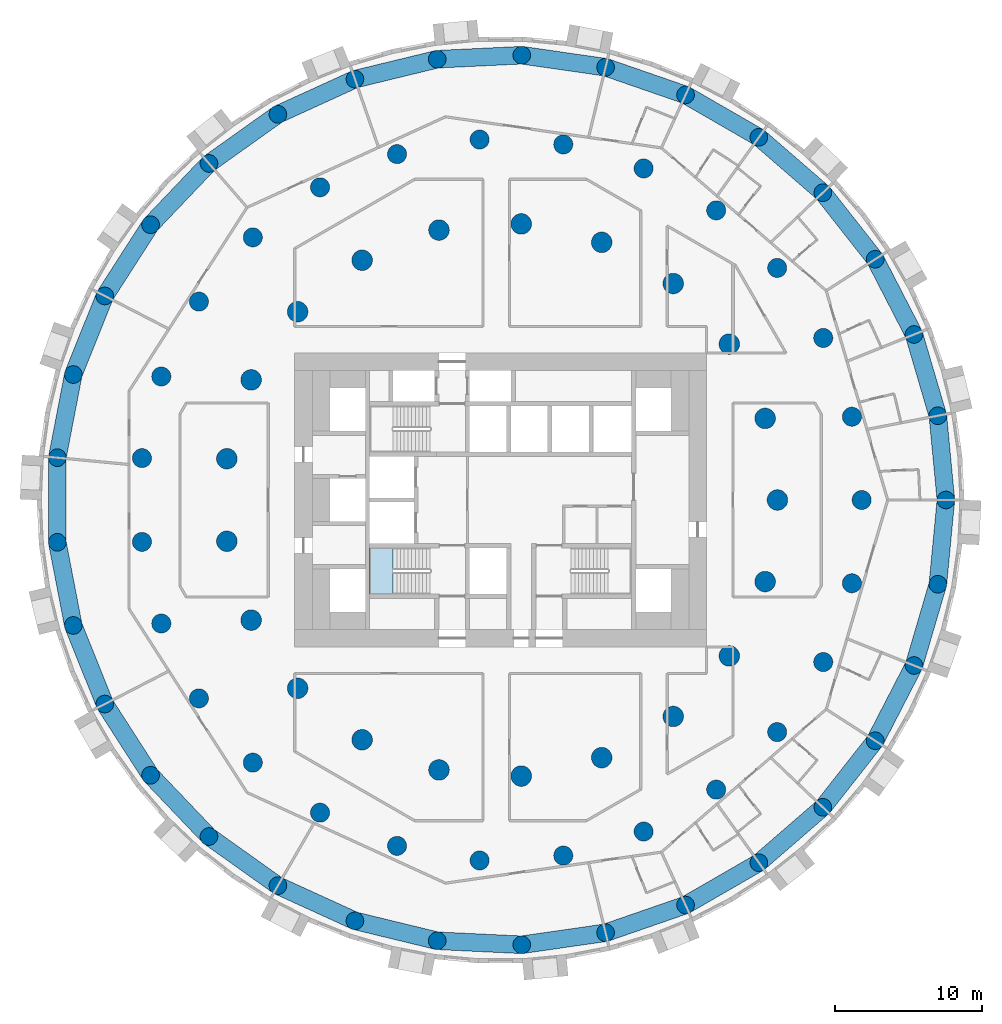
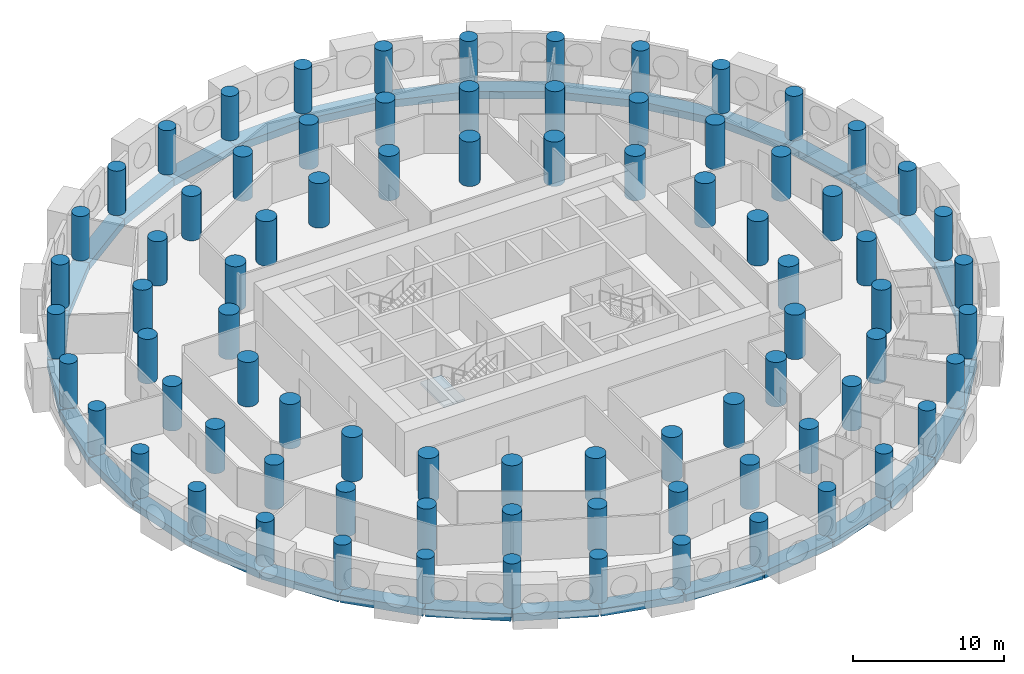
# One storey, part 1 of 12: 81 columns, 33 beams, 1 slab, 1 element without a shape of its own.
"""IFC4 building model written with IfcOpenShell, lengths in metres."""

from ifc_helpers import new_model, si_unit, direction, frame, origin, origin_2d, place, context, subcontext, project, spatial, polyline, rectangle, circle, outline, extrude, material, layer, layer_set, material_profile, profile_set, type_object, element, aggregate, save


model = new_model("IFC4")

# Units and contexts
model_context = context("Model", 3, precision=1e-05, world=origin(), true_north=direction((0.0, 1.0)))
body_context = subcontext(model_context, "Body", "Model", "MODEL_VIEW")
ifc_project = project(units=[si_unit("LENGTHUNIT", "METRE"), si_unit("AREAUNIT", "SQUARE_METRE"), si_unit("VOLUMEUNIT", "CUBIC_METRE"), si_unit("PLANEANGLEUNIT", "RADIAN"), si_unit("MASSUNIT", "GRAM", prefix="KILO")], contexts=[model_context])

# Site, building, storey
site_placement = place(None, origin())
site = spatial("IfcSite", under=ifc_project, at=site_placement, CompositionType="ELEMENT")
building_placement = place(site_placement, origin())
building = spatial("IfcBuilding", under=site, at=building_placement, Name="Tracery Tower", CompositionType="ELEMENT")
storey_placement = place(building_placement, frame((0.0, 0.0, 78.60009765625)))
storey = spatial("IfcBuildingStorey", under=building, at=storey_placement, Name="L19", CompositionType="ELEMENT", Elevation=78.60009765625)

# Columns
ifc_material_1 = material(Name="Concrete C60/75", Category="concrete")
ifc_material_profile_1 = material_profile(ifc_material_1, circle(Radius=0.60009765625, at=origin_2d()), Name="RC D1200")
ifc_profile_set_1 = profile_set([ifc_material_profile_1], Name="Concrete C60/75")
column_type_1 = type_object("IfcColumnType", Name="Ring 0 column 1200", PredefinedType="COLUMN", material=ifc_profile_set_1)
for number, where, z_axis, x_axis, name in (
    (1, (30.274658203125, 0.0, 0.0), (0.0, 0.0, 1.0), (1.0, 0.0, 0.0), "Ring 0 column 00 at L19"),
    (2, (29.7275390625, 5.7294921875, 0.0), (0.0, 0.0, 1.0), (1.0, 0.0, 0.0), "Ring 0 column 01 at L19"),
    (3, (28.10595703125, 11.251953125, 0.0), (0.0, 0.0, 1.0), (1.0, 0.0, 0.0), "Ring 0 column 02 at L19"),
    (4, (25.468505859375, 16.36767578125, 0.0), (0.0, 0.0, 1.0), (1.0, 0.0, 0.0), "Ring 0 column 03 at L19"),
    (5, (21.910888671875, 20.891845703125, 0.0), (0.0, 0.0, 1.0), (1.0, 0.0, 0.0), "Ring 0 column 04 at L19"),
    (6, (17.56103515625, 24.660888671875, 0.0), (0.0, 0.0, 1.0), (1.0, 0.0, 0.0), "Ring 0 column 05 at L19"),
    (7, (12.576416015625, 27.538818359375, 0.0), (0.0, 0.0, 1.0), (1.0, 0.0, 0.0), "Ring 0 column 06 at L19"),
    (8, (7.137451171875, 29.421142578125, 0.0), (0.0, 0.0, 1.0), (1.0, 0.0, 0.0), "Ring 0 column 07 at L19"),
    (9, (1.4404296875, 30.240234375, 0.0), (0.0, 0.0, 1.0), (1.0, 0.0, 0.0), "Ring 0 column 08 at L19"),
    (10, (-4.30859375, 29.96630859375, 0.0), (0.0, 0.0, 1.0), (1.0, 0.0, 0.0), "Ring 0 column 09 at L19"),
    (11, (-9.90185546875, 28.609619140625, 0.0), (0.0, 0.0, 1.0), (1.0, 0.0, 0.0), "Ring 0 column 10 at L19"),
    (12, (-15.13720703125, 26.218505859375, 0.0), (0.0, 0.0, 1.0), (1.0, 0.0, 0.0), "Ring 0 column 11 at L19"),
    (13, (-19.82568359375, 22.8798828125, 0.0), (0.0, 0.0, 1.0), (1.0, 0.0, 0.0), "Ring 0 column 12 at L19"),
    (14, (-23.79736328125, 18.714599609375, 0.0), (0.0, 0.0, 1.0), (1.0, 0.0, 0.0), "Ring 0 column 13 at L19"),
    (15, (-26.9091796875, 13.87255859375, 0.0), (0.0, 0.0, 1.0), (1.0, 0.0, 0.0), "Ring 0 column 14 at L19"),
    (16, (-29.04833984375, 8.529296875, 0.0), (0.0, 0.0, 1.0), (1.0, 0.0, 0.0), "Ring 0 column 15 at L19"),
    (17, (-30.137451171875, 2.877685546875, 0.0), (0.0, 0.0, 1.0), (1.0, 0.0, 0.0), "Ring 0 column 16 at L19"),
    (18, (-30.137451171875, -2.877685546875, 0.0), (0.0, 0.0, 1.0), (1.0, 0.0, 0.0), "Ring 0 column 17 at L19"),
    (19, (-29.04833984375, -8.529296875, 0.0), (0.0, 0.0, 1.0), (1.0, 0.0, 0.0), "Ring 0 column 18 at L19"),
    (20, (-26.9091796875, -13.87255859375, 0.0), (0.0, 0.0, 1.0), (1.0, 0.0, 0.0), "Ring 0 column 19 at L19"),
    (21, (-23.79736328125, -18.714599609375, 0.0), (0.0, 0.0, 1.0), (1.0, 0.0, 0.0), "Ring 0 column 20 at L19"),
    (22, (-19.82568359375, -22.8798828125, 0.0), (0.0, 0.0, 1.0), (1.0, 0.0, 0.0), "Ring 0 column 21 at L19"),
    (23, (-15.13720703125, -26.218505859375, 0.0), (0.0, 0.0, 1.0), (1.0, 0.0, 0.0), "Ring 0 column 22 at L19"),
    (24, (-9.90185546875, -28.609619140625, 0.0), (0.0, 0.0, 1.0), (1.0, 0.0, 0.0), "Ring 0 column 23 at L19"),
    (25, (-4.30859375, -29.96630859375, 0.0), (0.0, 0.0, 1.0), (1.0, 0.0, 0.0), "Ring 0 column 24 at L19"),
    (26, (1.4404296875, -30.240234375, 0.0), (0.0, 0.0, 1.0), (1.0, 0.0, 0.0), "Ring 0 column 25 at L19"),
    (27, (7.137451171875, -29.421142578125, 0.0), (0.0, 0.0, 1.0), (1.0, 0.0, 0.0), "Ring 0 column 26 at L19"),
    (28, (12.576416015625, -27.538818359375, 0.0), (0.0, 0.0, 1.0), (1.0, 0.0, 0.0), "Ring 0 column 27 at L19"),
    (29, (17.56103515625, -24.660888671875, 0.0), (0.0, 0.0, 1.0), (1.0, 0.0, 0.0), "Ring 0 column 28 at L19"),
    (30, (21.910888671875, -20.891845703125, 0.0), (0.0, 0.0, 1.0), (1.0, 0.0, 0.0), "Ring 0 column 29 at L19"),
    (31, (25.468505859375, -16.36767578125, 0.0), (0.0, 0.0, 1.0), (1.0, 0.0, 0.0), "Ring 0 column 30 at L19"),
    (32, (28.10595703125, -11.251953125, 0.0), (0.0, 0.0, 1.0), (1.0, 0.0, 0.0), "Ring 0 column 31 at L19"),
    (33, (29.7275390625, -5.7294921875, 0.0), (0.0, 0.0, 1.0), (1.0, 0.0, 0.0), "Ring 0 column 32 at L19"),
):
    element("IfcColumn", number, at=place(storey_placement, frame(where, z_axis=z_axis, x_axis=x_axis)), inside=storey, type_object=column_type_1, Name=name, PredefinedType="COLUMN", context=body_context, shape_type="SweptSolid", body=[
        extrude(circle(Radius=0.60009765625, at=origin_2d()), origin(), (0.0, 0.0, 1.0), 3.599853515625),
    ])
ifc_material_2 = material(Name="Concrete C60/75", Category="concrete")
ifc_material_profile_2 = material_profile(ifc_material_2, circle(Radius=0.64990234375, at=origin_2d()), Name="RC D1300")
ifc_profile_set_2 = profile_set([ifc_material_profile_2], Name="Concrete C60/75")
column_type_2 = type_object("IfcColumnType", Name="Ring 1 column 1300", PredefinedType="COLUMN", material=ifc_profile_set_2)
for number, where, z_axis, x_axis, name in (
    (34, (24.547607421875, 0.0, 0.0), (0.0, 0.0, 1.0), (1.0, 0.0, 0.0), "Ring 1 column 00 at L19"),
    (35, (23.885986328125, 5.6611328125, 0.0), (0.0, 0.0, 1.0), (1.0, 0.0, 0.0), "Ring 1 column 01 at L19"),
    (36, (21.9365234375, 11.01708984375, 0.0), (0.0, 0.0, 1.0), (1.0, 0.0, 0.0), "Ring 1 column 02 at L19"),
    (37, (18.8046875, 15.779052734375, 0.0), (0.0, 0.0, 1.0), (1.0, 0.0, 0.0), "Ring 1 column 03 at L19"),
    (38, (14.658935546875, 19.690185546875, 0.0), (0.0, 0.0, 1.0), (1.0, 0.0, 0.0), "Ring 1 column 04 at L19"),
    (39, (9.722900390625, 22.5400390625, 0.0), (0.0, 0.0, 1.0), (1.0, 0.0, 0.0), "Ring 1 column 05 at L19"),
    (40, (4.2626953125, 24.1748046875, 0.0), (0.0, 0.0, 1.0), (1.0, 0.0, 0.0), "Ring 1 column 06 at L19"),
    (41, (-1.42724609375, 24.506103515625, 0.0), (0.0, 0.0, 1.0), (1.0, 0.0, 0.0), "Ring 1 column 07 at L19"),
    (42, (-7.040283203125, 23.516357421875, 0.0), (0.0, 0.0, 1.0), (1.0, 0.0, 0.0), "Ring 1 column 08 at L19"),
    (43, (-12.273681640625, 21.2587890625, 0.0), (0.0, 0.0, 1.0), (1.0, 0.0, 0.0), "Ring 1 column 09 at L19"),
    (44, (-16.845703125, 17.855224609375, 0.0), (0.0, 0.0, 1.0), (1.0, 0.0, 0.0), "Ring 1 column 10 at L19"),
    (45, (-20.50927734375, 13.4892578125, 0.0), (0.0, 0.0, 1.0), (1.0, 0.0, 0.0), "Ring 1 column 11 at L19"),
    (46, (-23.0673828125, 8.395751953125, 0.0), (0.0, 0.0, 1.0), (1.0, 0.0, 0.0), "Ring 1 column 12 at L19"),
    (47, (-24.381591796875, 2.849853515625, 0.0), (0.0, 0.0, 1.0), (1.0, 0.0, 0.0), "Ring 1 column 13 at L19"),
    (48, (-24.381591796875, -2.849853515625, 0.0), (0.0, 0.0, 1.0), (1.0, 0.0, 0.0), "Ring 1 column 14 at L19"),
    (49, (-23.0673828125, -8.395751953125, 0.0), (0.0, 0.0, 1.0), (1.0, 0.0, 0.0), "Ring 1 column 15 at L19"),
    (50, (-20.50927734375, -13.4892578125, 0.0), (0.0, 0.0, 1.0), (1.0, 0.0, 0.0), "Ring 1 column 16 at L19"),
    (51, (-16.845703125, -17.85546875, 0.0), (0.0, 0.0, 1.0), (1.0, 0.0, 0.0), "Ring 1 column 17 at L19"),
    (52, (-12.27392578125, -21.2587890625, 0.0), (0.0, 0.0, 1.0), (1.0, 0.0, 0.0), "Ring 1 column 18 at L19"),
    (53, (-7.040283203125, -23.516357421875, 0.0), (0.0, 0.0, 1.0), (1.0, 0.0, 0.0), "Ring 1 column 19 at L19"),
    (54, (-1.42724609375, -24.506103515625, 0.0), (0.0, 0.0, 1.0), (1.0, 0.0, 0.0), "Ring 1 column 20 at L19"),
    (55, (4.2626953125, -24.1748046875, 0.0), (0.0, 0.0, 1.0), (1.0, 0.0, 0.0), "Ring 1 column 21 at L19"),
    (56, (9.722900390625, -22.5400390625, 0.0), (0.0, 0.0, 1.0), (1.0, 0.0, 0.0), "Ring 1 column 22 at L19"),
    (57, (14.658935546875, -19.690185546875, 0.0), (0.0, 0.0, 1.0), (1.0, 0.0, 0.0), "Ring 1 column 23 at L19"),
    (58, (18.8046875, -15.779052734375, 0.0), (0.0, 0.0, 1.0), (1.0, 0.0, 0.0), "Ring 1 column 24 at L19"),
    (59, (21.9365234375, -11.01708984375, 0.0), (0.0, 0.0, 1.0), (1.0, 0.0, 0.0), "Ring 1 column 25 at L19"),
    (60, (23.885986328125, -5.6611328125, 0.0), (0.0, 0.0, 1.0), (1.0, 0.0, 0.0), "Ring 1 column 26 at L19"),
):
    element("IfcColumn", number, at=place(storey_placement, frame(where, z_axis=z_axis, x_axis=x_axis)), inside=storey, type_object=column_type_2, Name=name, PredefinedType="COLUMN", context=body_context, shape_type="SweptSolid", body=[
        extrude(circle(Radius=0.64990234375, at=origin_2d()), origin(), (0.0, 0.0, 1.0), 3.599853515625),
    ])
ifc_material_3 = material(Name="Concrete C60/75", Category="concrete")
ifc_material_profile_3 = material_profile(ifc_material_3, circle(Radius=0.699951171875, at=origin_2d()), Name="RC D1400")
ifc_profile_set_3 = profile_set([ifc_material_profile_3], Name="Concrete C60/75")
column_type_3 = type_object("IfcColumnType", Name="Ring 2 column 1400", PredefinedType="COLUMN", material=ifc_profile_set_3)
for number, where, z_axis, x_axis, name in (
    (61, (18.822265625, 0.0, 0.0), (0.0, 0.0, 1.0), (1.0, 0.0, 0.0), "Ring 2 column 00 at L19"),
    (62, (17.986083984375, 5.5478515625, 0.0), (0.0, 0.0, 1.0), (1.0, 0.0, 0.0), "Ring 2 column 01 at L19"),
    (63, (15.551513671875, 10.602783203125, 0.0), (0.0, 0.0, 1.0), (1.0, 0.0, 0.0), "Ring 2 column 02 at L19"),
    (64, (11.7353515625, 14.7158203125, 0.0), (0.0, 0.0, 1.0), (1.0, 0.0, 0.0), "Ring 2 column 03 at L19"),
    (65, (6.87646484375, 17.52099609375, 0.0), (0.0, 0.0, 1.0), (1.0, 0.0, 0.0), "Ring 2 column 04 at L19"),
    (66, (1.406494140625, 18.76953125, 0.0), (0.0, 0.0, 1.0), (1.0, 0.0, 0.0), "Ring 2 column 05 at L19"),
    (67, (-4.188232421875, 18.350341796875, 0.0), (0.0, 0.0, 1.0), (1.0, 0.0, 0.0), "Ring 2 column 06 at L19"),
    (68, (-9.4111328125, 16.300537109375, 0.0), (0.0, 0.0, 1.0), (1.0, 0.0, 0.0), "Ring 2 column 07 at L19"),
    (69, (-13.797607421875, 12.802490234375, 0.0), (0.0, 0.0, 1.0), (1.0, 0.0, 0.0), "Ring 2 column 08 at L19"),
    (70, (-16.958251953125, 8.16650390625, 0.0), (0.0, 0.0, 1.0), (1.0, 0.0, 0.0), "Ring 2 column 09 at L19"),
    (71, (-18.612060546875, 2.805419921875, 0.0), (0.0, 0.0, 1.0), (1.0, 0.0, 0.0), "Ring 2 column 10 at L19"),
    (72, (-18.612060546875, -2.805419921875, 0.0), (0.0, 0.0, 1.0), (1.0, 0.0, 0.0), "Ring 2 column 11 at L19"),
    (73, (-16.958251953125, -8.166748046875, 0.0), (0.0, 0.0, 1.0), (1.0, 0.0, 0.0), "Ring 2 column 12 at L19"),
    (74, (-13.797607421875, -12.80224609375, 0.0), (0.0, 0.0, 1.0), (1.0, 0.0, 0.0), "Ring 2 column 13 at L19"),
    (75, (-9.4111328125, -16.300537109375, 0.0), (0.0, 0.0, 1.0), (1.0, 0.0, 0.0), "Ring 2 column 14 at L19"),
    (76, (-4.188232421875, -18.350341796875, 0.0), (0.0, 0.0, 1.0), (1.0, 0.0, 0.0), "Ring 2 column 15 at L19"),
    (77, (1.406494140625, -18.76953125, 0.0), (0.0, 0.0, 1.0), (1.0, 0.0, 0.0), "Ring 2 column 16 at L19"),
    (78, (6.87646484375, -17.52099609375, 0.0), (0.0, 0.0, 1.0), (1.0, 0.0, 0.0), "Ring 2 column 17 at L19"),
    (79, (11.7353515625, -14.7158203125, 0.0), (0.0, 0.0, 1.0), (1.0, 0.0, 0.0), "Ring 2 column 18 at L19"),
    (80, (15.551513671875, -10.602783203125, 0.0), (0.0, 0.0, 1.0), (1.0, 0.0, 0.0), "Ring 2 column 19 at L19"),
    (81, (17.986083984375, -5.5478515625, 0.0), (0.0, 0.0, 1.0), (1.0, 0.0, 0.0), "Ring 2 column 20 at L19"),
):
    element("IfcColumn", number, at=place(storey_placement, frame(where, z_axis=z_axis, x_axis=x_axis)), inside=storey, type_object=column_type_3, Name=name, PredefinedType="COLUMN", context=body_context, shape_type="SweptSolid", body=[
        extrude(circle(Radius=0.699951171875, at=origin_2d()), origin(), (0.0, 0.0, 1.0), 3.599853515625),
    ])

# Beams
ifc_material_4 = material(Name="Concrete C60/75", Category="concrete")
ifc_material_profile_4 = material_profile(ifc_material_4, rectangle(XDim=1.199951171875, YDim=0.60009765625, at=origin_2d()), Name="RC 1200x600")
ifc_profile_set_4 = profile_set([ifc_material_profile_4], Name="Concrete C60/75")
beam_type = type_object("IfcBeamType", Name="Perimeter band beam 1200x600", PredefinedType="BEAM", material=ifc_profile_set_4)
for number, where, z_axis, x_axis, name in (
    (82, (30.274658203125, 0.0, -0.75), (-0.095059309677, 0.995471610667, 0.0), (-0.995471610667, -0.095059309677, 0.0), "Perimeter beam 0.00 under L19"),
    (83, (29.7275390625, 5.7294921875, -0.75), (-0.281739145896, 0.959491038869, 0.0), (-0.959491038869, -0.281739145896, 0.0), "Perimeter beam 0.01 under L19"),
    (84, (28.10595703125, 11.251953125, -0.75), (-0.458242010493, 0.88882746347, 0.0), (-0.88882746347, -0.458242010493, 0.0), "Perimeter beam 0.02 under L19"),
):
    element("IfcBeam", number, at=place(storey_placement, frame(where, z_axis=z_axis, x_axis=x_axis)), inside=storey, type_object=beam_type, Name=name, PredefinedType="BEAM", context=body_context, shape_type="SweptSolid", body=[
        extrude(rectangle(XDim=1.199951171875, YDim=0.60009765625, at=origin_2d()), origin(), (0.0, 0.0, 1.0), 5.755615234375),
    ])
beam_1_placement = place(storey_placement, frame((25.468505859375, 16.36767578125, -0.75), z_axis=(-0.618134362257, 0.786072458618, 0.0), x_axis=(-0.786072458618, -0.618134362257, 0.0)))
element("IfcBeam", 85, at=beam_1_placement, inside=storey, type_object=beam_type, Name="Perimeter beam 0.03 under L19", PredefinedType="BEAM", context=body_context, shape_type="SweptSolid", body=[
    extrude(rectangle(XDim=1.199951171875, YDim=0.60009765625, at=origin_2d()), origin(), (0.0, 0.0, 1.0), 5.75537109375),
])
beam_2_placement = place(storey_placement, frame((21.910888671875, 20.891845703125, -0.75), z_axis=(-0.755760456715, 0.65484817482, 0.0), x_axis=(-0.65484817482, -0.755760456715, 0.0)))
element("IfcBeam", 86, at=beam_2_placement, inside=storey, type_object=beam_type, Name="Perimeter beam 0.04 under L19", PredefinedType="BEAM", context=body_context, shape_type="SweptSolid", body=[
    extrude(rectangle(XDim=1.199951171875, YDim=0.60009765625, at=origin_2d()), origin(), (0.0, 0.0, 1.0), 5.755615234375),
])
beam_3_placement = place(storey_placement, frame((17.56103515625, 24.660888671875, -0.75), z_axis=(-0.866021003874, 0.50000762079, 0.0), x_axis=(-0.50000762079, -0.866021003874, 0.0)))
element("IfcBeam", 87, at=beam_3_placement, inside=storey, type_object=beam_type, Name="Perimeter beam 0.05 under L19", PredefinedType="BEAM", context=body_context, shape_type="SweptSolid", body=[
    extrude(rectangle(XDim=1.199951171875, YDim=0.60009765625, at=origin_2d()), origin(), (0.0, 0.0, 1.0), 5.755859375),
])
beam_4_placement = place(storey_placement, frame((12.576416015625, 27.538818359375, -0.75), z_axis=(-0.945007252869, 0.327049372458, 0.0), x_axis=(-0.327049372458, -0.945007252869, 0.0)))
element("IfcBeam", 88, at=beam_4_placement, inside=storey, type_object=beam_type, Name="Perimeter beam 0.06 under L19", PredefinedType="BEAM", context=body_context, shape_type="SweptSolid", body=[
    extrude(rectangle(XDim=1.199951171875, YDim=0.60009765625, at=origin_2d()), origin(), (0.0, 0.0, 1.0), 5.75537109375),
])
for number, where, z_axis, x_axis, name in (
    (89, (7.137451171875, 29.421142578125, -0.75), (-0.989821839174, 0.142312075013, 0.0), (-0.142312075013, -0.989821839174, 0.0), "Perimeter beam 0.07 under L19"),
    (90, (1.4404296875, 30.240234375, -0.75), (-0.998866793759, -0.047593364303, 0.0), (0.047593364303, -0.998866793759, 0.0), "Perimeter beam 0.08 under L19"),
):
    element("IfcBeam", number, at=place(storey_placement, frame(where, z_axis=z_axis, x_axis=x_axis)), inside=storey, type_object=beam_type, Name=name, PredefinedType="BEAM", context=body_context, shape_type="SweptSolid", body=[
        extrude(rectangle(XDim=1.199951171875, YDim=0.60009765625, at=origin_2d()), origin(), (0.0, 0.0, 1.0), 5.755615234375),
    ])
beam_5_placement = place(storey_placement, frame((-4.30859375, 29.96630859375, -0.75), z_axis=(-0.971820371509, -0.235722645328, 0.0), x_axis=(0.235722645328, -0.971820371509, 0.0)))
element("IfcBeam", 91, at=beam_5_placement, inside=storey, type_object=beam_type, Name="Perimeter beam 0.09 under L19", PredefinedType="BEAM", context=body_context, shape_type="SweptSolid", body=[
    extrude(rectangle(XDim=1.199951171875, YDim=0.60009765625, at=origin_2d()), origin(), (0.0, 0.0, 1.0), 5.75537109375),
])
for number, where, z_axis, x_axis, name in (
    (92, (-9.90185546875, 28.609619140625, -0.75), (-0.909618316865, -0.415444963411, 0.0), (0.415444963411, -0.909618316865, 0.0), "Perimeter beam 0.10 under L19"),
    (93, (-15.13720703125, 26.218505859375, -0.75), (-0.8145780864, -0.580053912285, 0.0), (0.580053912285, -0.8145780864, 0.0), "Perimeter beam 0.11 under L19"),
):
    element("IfcBeam", number, at=place(storey_placement, frame(where, z_axis=z_axis, x_axis=x_axis)), inside=storey, type_object=beam_type, Name=name, PredefinedType="BEAM", context=body_context, shape_type="SweptSolid", body=[
        extrude(rectangle(XDim=1.199951171875, YDim=0.60009765625, at=origin_2d()), origin(), (0.0, 0.0, 1.0), 5.755615234375),
    ])
beam_6_placement = place(storey_placement, frame((-19.82568359375, 22.8798828125, -0.75), z_axis=(-0.690087218267, -0.723726212863, 0.0), x_axis=(0.723726212863, -0.690087218267, 0.0)))
element("IfcBeam", 94, at=beam_6_placement, inside=storey, type_object=beam_type, Name="Perimeter beam 0.12 under L19", PredefinedType="BEAM", context=body_context, shape_type="SweptSolid", body=[
    extrude(rectangle(XDim=1.199951171875, YDim=0.60009765625, at=origin_2d()), origin(), (0.0, 0.0, 1.0), 5.75537109375),
])
beam_7_placement = place(storey_placement, frame((-23.79736328125, 18.714599609375, -0.75), z_axis=(-0.540643964602, -0.841251510274, 0.0), x_axis=(0.841251510274, -0.540643964602, 0.0)))
element("IfcBeam", 95, at=beam_7_placement, inside=storey, type_object=beam_type, Name="Perimeter beam 0.13 under L19", PredefinedType="BEAM", context=body_context, shape_type="SweptSolid", body=[
    extrude(rectangle(XDim=1.199951171875, YDim=0.60009765625, at=origin_2d()), origin(), (0.0, 0.0, 1.0), 5.755859375),
])
for number, where, z_axis, x_axis, name in (
    (96, (-26.9091796875, 13.87255859375, -0.75), (-0.371668572289, -0.928365484264, 0.0), (0.928365484264, -0.371668572289, 0.0), "Perimeter beam 0.14 under L19"),
    (97, (-29.04833984375, 8.529296875, -0.75), (-0.189226539295, -0.981933458451, 0.0), (0.981933458451, -0.189226539295, 0.0), "Perimeter beam 0.15 under L19"),
):
    element("IfcBeam", number, at=place(storey_placement, frame(where, z_axis=z_axis, x_axis=x_axis)), inside=storey, type_object=beam_type, Name=name, PredefinedType="BEAM", context=body_context, shape_type="SweptSolid", body=[
        extrude(rectangle(XDim=1.199951171875, YDim=0.60009765625, at=origin_2d()), origin(), (0.0, 0.0, 1.0), 5.755615234375),
    ])
beam_8_placement = place(storey_placement, frame((-30.137451171875, 2.877685546875, -0.75), z_axis=(0.0, -1.0, 0.0), x_axis=(1.0, 0.0, 0.0)))
element("IfcBeam", 98, at=beam_8_placement, inside=storey, type_object=beam_type, Name="Perimeter beam 0.16 under L19", PredefinedType="BEAM", context=body_context, shape_type="SweptSolid", body=[
    extrude(rectangle(XDim=1.199951171875, YDim=0.60009765625, at=origin_2d()), origin(), (0.0, 0.0, 1.0), 5.75537109375),
])
for number, where, z_axis, x_axis, name in (
    (99, (-30.137451171875, -2.877685546875, -0.75), (0.189226539295, -0.981933458451, 0.0), (0.981933458451, 0.189226539295, 0.0), "Perimeter beam 0.17 under L19"),
    (100, (-29.04833984375, -8.529296875, -0.75), (0.371668572289, -0.928365484264, 0.0), (0.928365484264, 0.371668572289, 0.0), "Perimeter beam 0.18 under L19"),
):
    element("IfcBeam", number, at=place(storey_placement, frame(where, z_axis=z_axis, x_axis=x_axis)), inside=storey, type_object=beam_type, Name=name, PredefinedType="BEAM", context=body_context, shape_type="SweptSolid", body=[
        extrude(rectangle(XDim=1.199951171875, YDim=0.60009765625, at=origin_2d()), origin(), (0.0, 0.0, 1.0), 5.755615234375),
    ])
beam_9_placement = place(storey_placement, frame((-26.9091796875, -13.87255859375, -0.75), z_axis=(0.540643964602, -0.841251510274, 0.0), x_axis=(0.841251510274, 0.540643964602, 0.0)))
element("IfcBeam", 101, at=beam_9_placement, inside=storey, type_object=beam_type, Name="Perimeter beam 0.19 under L19", PredefinedType="BEAM", context=body_context, shape_type="SweptSolid", body=[
    extrude(rectangle(XDim=1.199951171875, YDim=0.60009765625, at=origin_2d()), origin(), (0.0, 0.0, 1.0), 5.755859375),
])
beam_10_placement = place(storey_placement, frame((-23.79736328125, -18.714599609375, -0.75), z_axis=(0.690087218267, -0.723726212863, 0.0), x_axis=(0.723726212863, 0.690087218267, 0.0)))
element("IfcBeam", 102, at=beam_10_placement, inside=storey, type_object=beam_type, Name="Perimeter beam 0.20 under L19", PredefinedType="BEAM", context=body_context, shape_type="SweptSolid", body=[
    extrude(rectangle(XDim=1.199951171875, YDim=0.60009765625, at=origin_2d()), origin(), (0.0, 0.0, 1.0), 5.75537109375),
])
for number, where, z_axis, x_axis, name in (
    (103, (-19.82568359375, -22.8798828125, -0.75), (0.8145780864, -0.580053912285, 0.0), (0.580053912285, 0.8145780864, 0.0), "Perimeter beam 0.21 under L19"),
    (104, (-15.13720703125, -26.218505859375, -0.75), (0.909618316865, -0.415444963411, 0.0), (0.415444963411, 0.909618316865, 0.0), "Perimeter beam 0.22 under L19"),
):
    element("IfcBeam", number, at=place(storey_placement, frame(where, z_axis=z_axis, x_axis=x_axis)), inside=storey, type_object=beam_type, Name=name, PredefinedType="BEAM", context=body_context, shape_type="SweptSolid", body=[
        extrude(rectangle(XDim=1.199951171875, YDim=0.60009765625, at=origin_2d()), origin(), (0.0, 0.0, 1.0), 5.755615234375),
    ])
beam_11_placement = place(storey_placement, frame((-9.90185546875, -28.609619140625, -0.75), z_axis=(0.971820371509, -0.235722645328, 0.0), x_axis=(0.235722645328, 0.971820371509, 0.0)))
element("IfcBeam", 105, at=beam_11_placement, inside=storey, type_object=beam_type, Name="Perimeter beam 0.23 under L19", PredefinedType="BEAM", context=body_context, shape_type="SweptSolid", body=[
    extrude(rectangle(XDim=1.199951171875, YDim=0.60009765625, at=origin_2d()), origin(), (0.0, 0.0, 1.0), 5.75537109375),
])
for number, where, z_axis, x_axis, name in (
    (106, (-4.30859375, -29.96630859375, -0.75), (0.998866793759, -0.047593364303, 0.0), (0.047593364303, 0.998866793759, 0.0), "Perimeter beam 0.24 under L19"),
    (107, (1.4404296875, -30.240234375, -0.75), (0.989821839174, 0.142312075013, 0.0), (-0.142312075013, 0.989821839174, 0.0), "Perimeter beam 0.25 under L19"),
):
    element("IfcBeam", number, at=place(storey_placement, frame(where, z_axis=z_axis, x_axis=x_axis)), inside=storey, type_object=beam_type, Name=name, PredefinedType="BEAM", context=body_context, shape_type="SweptSolid", body=[
        extrude(rectangle(XDim=1.199951171875, YDim=0.60009765625, at=origin_2d()), origin(), (0.0, 0.0, 1.0), 5.755615234375),
    ])
beam_12_placement = place(storey_placement, frame((7.137451171875, -29.421142578125, -0.75), z_axis=(0.945007252869, 0.327049372458, 0.0), x_axis=(-0.327049372458, 0.945007252869, 0.0)))
element("IfcBeam", 108, at=beam_12_placement, inside=storey, type_object=beam_type, Name="Perimeter beam 0.26 under L19", PredefinedType="BEAM", context=body_context, shape_type="SweptSolid", body=[
    extrude(rectangle(XDim=1.199951171875, YDim=0.60009765625, at=origin_2d()), origin(), (0.0, 0.0, 1.0), 5.75537109375),
])
beam_13_placement = place(storey_placement, frame((12.576416015625, -27.538818359375, -0.75), z_axis=(0.866021003874, 0.50000762079, 0.0), x_axis=(-0.50000762079, 0.866021003874, 0.0)))
element("IfcBeam", 109, at=beam_13_placement, inside=storey, type_object=beam_type, Name="Perimeter beam 0.27 under L19", PredefinedType="BEAM", context=body_context, shape_type="SweptSolid", body=[
    extrude(rectangle(XDim=1.199951171875, YDim=0.60009765625, at=origin_2d()), origin(), (0.0, 0.0, 1.0), 5.755859375),
])
beam_14_placement = place(storey_placement, frame((17.56103515625, -24.660888671875, -0.75), z_axis=(0.755760456715, 0.65484817482, 0.0), x_axis=(-0.65484817482, 0.755760456715, 0.0)))
element("IfcBeam", 110, at=beam_14_placement, inside=storey, type_object=beam_type, Name="Perimeter beam 0.28 under L19", PredefinedType="BEAM", context=body_context, shape_type="SweptSolid", body=[
    extrude(rectangle(XDim=1.199951171875, YDim=0.60009765625, at=origin_2d()), origin(), (0.0, 0.0, 1.0), 5.755615234375),
])
beam_15_placement = place(storey_placement, frame((21.910888671875, -20.891845703125, -0.75), z_axis=(0.618134362257, 0.786072458618, 0.0), x_axis=(-0.786072458618, 0.618134362257, 0.0)))
element("IfcBeam", 111, at=beam_15_placement, inside=storey, type_object=beam_type, Name="Perimeter beam 0.29 under L19", PredefinedType="BEAM", context=body_context, shape_type="SweptSolid", body=[
    extrude(rectangle(XDim=1.199951171875, YDim=0.60009765625, at=origin_2d()), origin(), (0.0, 0.0, 1.0), 5.75537109375),
])
for number, where, z_axis, x_axis, name in (
    (112, (25.468505859375, -16.36767578125, -0.75), (0.458242010493, 0.88882746347, 0.0), (-0.88882746347, 0.458242010493, 0.0), "Perimeter beam 0.30 under L19"),
    (113, (28.10595703125, -11.251953125, -0.75), (0.281739145896, 0.959491038869, 0.0), (-0.959491038869, 0.281739145896, 0.0), "Perimeter beam 0.31 under L19"),
    (114, (29.7275390625, -5.7294921875, -0.75), (0.095059309677, 0.995471610667, 0.0), (-0.995471610667, 0.095059309677, 0.0), "Perimeter beam 0.32 under L19"),
):
    element("IfcBeam", number, at=place(storey_placement, frame(where, z_axis=z_axis, x_axis=x_axis)), inside=storey, type_object=beam_type, Name=name, PredefinedType="BEAM", context=body_context, shape_type="SweptSolid", body=[
        extrude(rectangle(XDim=1.199951171875, YDim=0.60009765625, at=origin_2d()), origin(), (0.0, 0.0, 1.0), 5.755615234375),
    ])

# Stair, slab
ifc_material_5 = material(Name="Concrete C32/40", Category="concrete")
stair_type = type_object("IfcStairType", Name="Core stair 22 risers", PredefinedType="HALF_TURN_STAIR", material=ifc_material_5)
stair_placement = place(storey_placement, origin())
stair = element("IfcStair", 115, at=stair_placement, inside=storey, type_object=stair_type, Name="L19 stair ST1", PredefinedType="HALF_TURN_STAIR")
ifc_material_6 = material(Name="Concrete C32/40", Category="concrete")
ifc_layer = layer(ifc_material_6, 0.199951171875)
ifc_layer_set = layer_set([ifc_layer], Name="Stair landing slab 200")
slab_type = type_object("IfcSlabType", Name="Stair landing slab 200", PredefinedType="LANDING", material=ifc_layer_set)
slab_placement = place(storey_placement, frame((0.0, 0.0, 1.599853515625)))
slab = element("IfcSlab", 116, at=slab_placement, type_object=slab_type, Name="ST1 landing 1", PredefinedType="LANDING", context=body_context, shape_type="SweptSolid", body=[
    extrude(outline(polyline([(-7.29931640625, -3.25), (-8.89990234375, -3.25), (-8.89990234375, -6.39990234375), (-7.29931640625, -6.39990234375), (-7.29931640625, -3.25)])), origin(), (0.0, 0.0, 1.0), 0.199951171875),
])
aggregate(stair, [slab])

save(model, "model.ifc")
